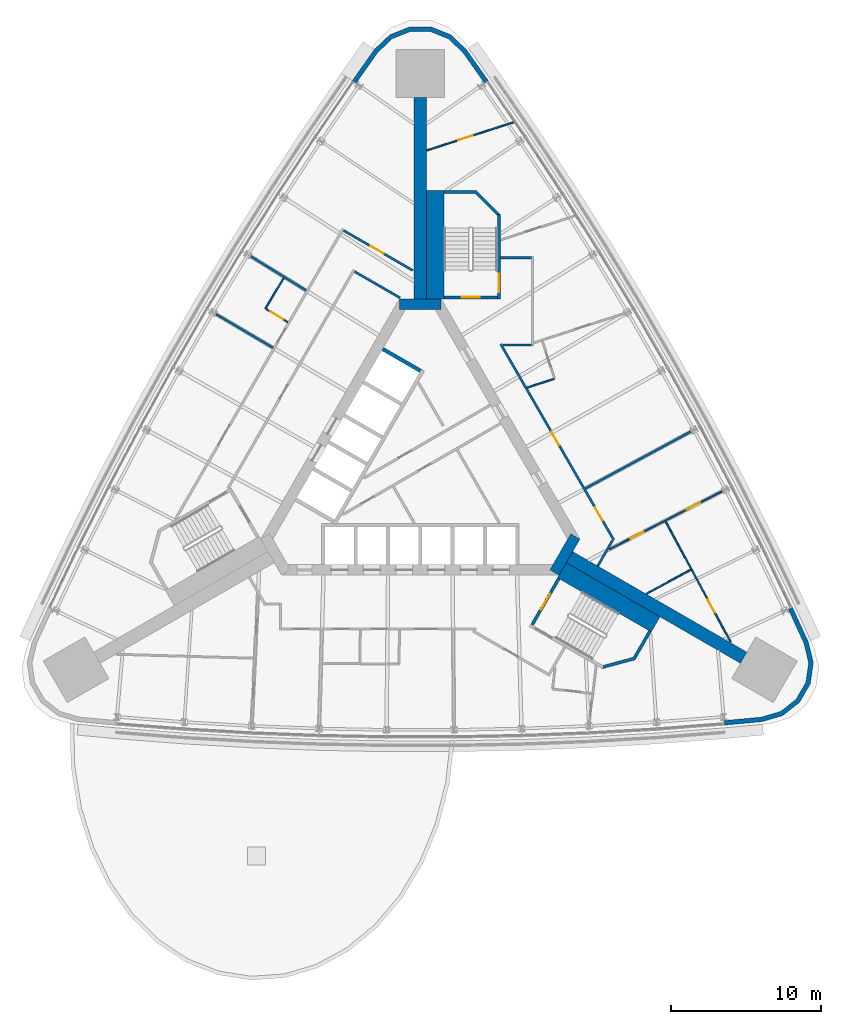
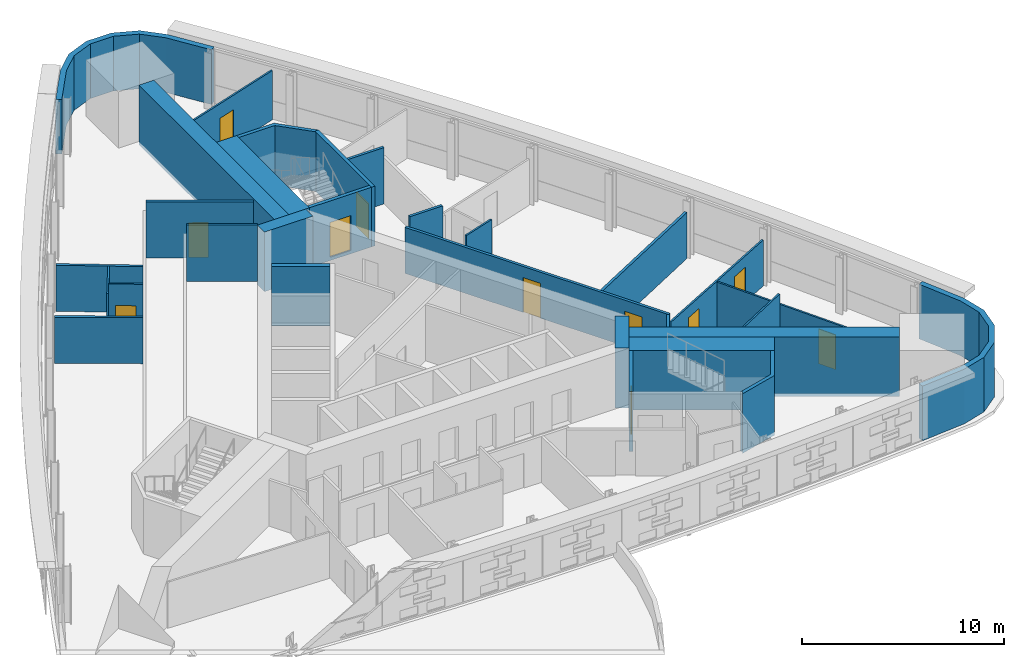
# One storey, part 12 of 15: 30 walls, 11 doors, 11 openings.
"""IFC4 building model written with IfcOpenShell, lengths in metres."""

from ifc_helpers import new_model, si_unit, direction, frame, frame_2d, origin, place, context, subcontext, project, spatial, polyline, rectangle, outline, extrude, material, layer, layer_set, type_object, element, fill, save


model = new_model("IFC4")

# Units and contexts
model_context = context("Model", 3, precision=1e-05, world=origin(), true_north=direction((0.0, 1.0)))
body_context = subcontext(model_context, "Body", "Model", "MODEL_VIEW")
ifc_project = project(units=[si_unit("LENGTHUNIT", "METRE"), si_unit("AREAUNIT", "SQUARE_METRE"), si_unit("VOLUMEUNIT", "CUBIC_METRE"), si_unit("PLANEANGLEUNIT", "RADIAN"), si_unit("MASSUNIT", "GRAM", prefix="KILO")], contexts=[model_context])

# Site, building, storey
site_placement = place(None, origin())
site = spatial("IfcSite", under=ifc_project, at=site_placement, CompositionType="ELEMENT")
building_placement = place(site_placement, origin())
building = spatial("IfcBuilding", under=site, at=building_placement, Name="Noor Cloister Tower", CompositionType="ELEMENT")
storey_placement = place(building_placement, frame((0.0, 0.0, 69.0)))
storey = spatial("IfcBuildingStorey", under=building, at=storey_placement, Name="L17", CompositionType="ELEMENT", Elevation=69.0)

# Walls
ifc_material_1 = material(Name="Concrete C80/95", Category="concrete")
ifc_layer_1 = layer(ifc_material_1, 0.85009765625)
ifc_layer_set_1 = layer_set([ifc_layer_1], Name="Buttress wall 850 C80/95")
wall_type_1 = type_object("IfcWallType", Name="Buttress wall 850 C80/95", PredefinedType="SHEAR", material=ifc_layer_set_1)
wall_1_placement = place(storey_placement, frame((0.0, 11.456298828125, -0.199951171875), z_axis=(0.0, 0.0, 1.0), x_axis=(0.0, 1.0, 0.0)))
element("IfcWall", 1, at=wall_1_placement, inside=storey, type_object=wall_type_1, Name="Buttress wall N L17", PredefinedType="SHEAR", context=body_context, shape_type="SweptSolid", body=[
    extrude(rectangle(XDim=13.381591796875, YDim=0.85009765625, at=frame_2d((6.69091796875, 0.0))), origin(), (0.0, 0.0, 1.0), 3.599853515625),
])
wall_2_placement = place(storey_placement, frame((9.921630859375, -5.728271484375, -0.199951171875), z_axis=(0.0, 0.0, 1.0), x_axis=(0.866026077102, -0.499998833779, 0.0)))
element("IfcWall", 2, at=wall_2_placement, inside=storey, type_object=wall_type_1, Name="Buttress wall SE L17", PredefinedType="SHEAR", context=body_context, shape_type="SweptSolid", body=[
    extrude(rectangle(XDim=13.38134765625, YDim=0.85009765625, at=frame_2d((6.690673828125, 0.0))), origin(), (0.0, 0.0, 1.0), 3.599853515625),
])
ifc_material_2 = material(Name="Concrete C80/95", Category="concrete")
ifc_layer_2 = layer(ifc_material_2, 0.699951171875)
ifc_layer_set_2 = layer_set([ifc_layer_2], Name="Core wall 700 C80/95")
wall_type_2 = type_object("IfcWallType", Name="Core wall 700 C80/95", PredefinedType="SHEAR", material=ifc_layer_set_2)
wall_3_placement = place(storey_placement, frame((8.925537109375, -6.753173828125, -0.199951171875), z_axis=(0.0, 0.0, 1.0), x_axis=(0.500042739161, 0.866000726912, 0.0)))
element("IfcWall", 3, at=wall_3_placement, inside=storey, type_object=wall_type_2, Name="Core wall L17 2", PredefinedType="SHEAR", context=body_context, shape_type="SweptSolid", body=[
    extrude(rectangle(XDim=2.771240234375, YDim=0.699951171875, at=frame_2d((1.3857421875, 0.0))), origin(), (0.0, 0.0, 1.0), 3.599853515625),
])
wall_4_placement = place(storey_placement, frame((1.3857421875, 11.1064453125, -0.199951171875), z_axis=(0.0, 0.0, 1.0), x_axis=(-1.0, 0.0, 0.0)))
element("IfcWall", 4, at=wall_4_placement, inside=storey, type_object=wall_type_2, Name="Core wall L17 4", PredefinedType="SHEAR", context=body_context, shape_type="SweptSolid", body=[
    extrude(rectangle(XDim=2.771484375, YDim=0.699951171875, at=frame_2d((1.3857421875, 0.0))), origin(), (0.0, 0.0, 1.0), 3.599853515625),
])
ifc_material_3 = material(Name="Fire-rated gypsum board partition on steel studs, 150 mm", Category="steel")
ifc_layer_3 = layer(ifc_material_3, 0.14990234375)
ifc_layer_set_3 = layer_set([ifc_layer_3], Name="Fire lobby wall 150")
wall_type_3 = type_object("IfcWallType", Name="Fire lobby wall 150", PredefinedType="PARTITIONING", material=ifc_layer_set_3)
wall_5_placement = place(storey_placement, frame((-4.379150390625, 13.271484375, 0.0), z_axis=(0.0, 0.0, 1.0), x_axis=(0.866019471182, -0.500010275428, 0.0)))
element("IfcWall", 5, at=wall_5_placement, inside=storey, type_object=wall_type_3, Name="Fire lobby wall 150 L17 008", PredefinedType="PARTITIONING", context=body_context, shape_type="SweptSolid", body=[
    extrude(rectangle(XDim=3.5, YDim=0.14990234375, at=frame_2d((1.75, 0.0))), origin(), (0.0, 0.0, 1.0), 3.39990234375),
])

# Wall, openings, doors
ifc_material_4 = material(Name="Gypsum board partition on steel studs, 150 mm", Category="steel")
ifc_layer_4 = layer(ifc_material_4, 0.14990234375)
ifc_layer_set_4 = layer_set([ifc_layer_4], Name="Flat wall 150")
wall_type_4 = type_object("IfcWallType", Name="Flat wall 150", PredefinedType="PARTITIONING", material=ifc_layer_set_4)
wall_6_placement = place(storey_placement, frame((5.34619140625, 8.4462890625, 0.0), z_axis=(0.0, 0.0, 1.0), x_axis=(0.500008781656, -0.866020333634, 0.0)))
wall_6 = element("IfcWall", 6, at=wall_6_placement, inside=storey, type_object=wall_type_4, Name="Flat wall 150 L17 003", PredefinedType="PARTITIONING", context=body_context, shape_type="SweptSolid", body=[
    extrude(rectangle(XDim=15.056884765625, YDim=0.14990234375, at=frame_2d((7.5283203125, 0.0))), origin(), (0.0, 0.0, 1.0), 2.778076171875),
])
opening_1_placement = place(wall_6_placement, frame((12.55029296875, 0.0, 0.0)))
opening_1 = element("IfcOpeningElement", 7, at=opening_1_placement, cuts=wall_6, Name="Opening L17-004", PredefinedType="OPENING", context=body_context, shape_type="SweptSolid", body=[
    extrude(rectangle(XDim=1.0, YDim=2.10009765625, at=frame_2d((0.5, 1.050048828125))), frame((0.0, 0.0849609375, 0.0), z_axis=(0.0, -1.0, 0.0), x_axis=(1.0, 0.0, 0.0)), (0.0, 0.0, 1.0), 0.169921875),
])
opening_2_placement = place(wall_6_placement, frame((6.752685546875, 0.0, 0.0)))
opening_2 = element("IfcOpeningElement", 8, at=opening_2_placement, cuts=wall_6, Name="Opening L17-005", PredefinedType="OPENING", context=body_context, shape_type="SweptSolid", body=[
    extrude(rectangle(XDim=1.0, YDim=2.10009765625, at=frame_2d((0.5, 1.050048828125))), frame((0.0, 0.0849609375, 0.0), z_axis=(0.0, -1.0, 0.0), x_axis=(1.0, 0.0, 0.0)), (0.0, 0.0, 1.0), 0.169921875),
])
ifc_material_5 = material(Name="Timber door leaf with steel frame", Category="steel")
door_type_1 = type_object("IfcDoorType", Name="Flat entrance door 1000 FD60S", OperationType="NOTDEFINED", PredefinedType="DOOR", material=ifc_material_5)
door_1_placement = place(opening_1_placement, origin())
door_1 = element("IfcDoor", 9, at=door_1_placement, inside=storey, type_object=door_type_1, Name="Flat entrance door 1000 L17-004", OperationType="SINGLE_SWING_RIGHT", OverallHeight=2.10009765625, OverallWidth=1.0, PredefinedType="DOOR", context=body_context, shape_type="SweptSolid", body=[
    extrude(rectangle(XDim=1.0, YDim=2.10009765625, at=frame_2d((0.5, 1.050048828125))), frame((0.0, 0.02490234375, 0.0), z_axis=(0.0, -1.0, 0.0), x_axis=(1.0, 0.0, 0.0)), (0.0, 0.0, 1.0), 0.050048828125),
])
fill(opening_1, door_1)
door_2_placement = place(opening_2_placement, origin())
door_2 = element("IfcDoor", 10, at=door_2_placement, inside=storey, type_object=door_type_1, Name="Flat entrance door 1000 L17-005", OperationType="SINGLE_SWING_LEFT", OverallHeight=2.10009765625, OverallWidth=1.0, PredefinedType="DOOR", context=body_context, shape_type="SweptSolid", body=[
    extrude(rectangle(XDim=1.0, YDim=2.10009765625, at=frame_2d((0.5, 1.050048828125))), frame((0.0, 0.02490234375, 0.0), z_axis=(0.0, -1.0, 0.0), x_axis=(1.0, 0.0, 0.0)), (0.0, 0.0, 1.0), 0.050048828125),
])
fill(opening_2, door_2)

# Wall, opening, door
wall_7_placement = place(storey_placement, frame((-5.111328125, 16.00341796875, 0.0), z_axis=(0.0, 0.0, 1.0), x_axis=(0.866034245675, -0.499984685083, 0.0)))
wall_7 = element("IfcWall", 11, at=wall_7_placement, inside=storey, type_object=wall_type_4, Name="Flat wall 150 L17 007", PredefinedType="PARTITIONING", context=body_context, shape_type="SweptSolid", body=[
    extrude(rectangle(XDim=5.319091796875, YDim=0.14990234375, at=frame_2d((2.65966796875, 0.0))), origin(), (0.0, 0.0, 1.0), 3.39990234375),
])
opening_3_placement = place(wall_7_placement, frame((2.08447265625, 0.0, 0.0)))
opening_3 = element("IfcOpeningElement", 12, at=opening_3_placement, cuts=wall_7, Name="Opening L17-011", PredefinedType="OPENING", context=body_context, shape_type="SweptSolid", body=[
    extrude(rectangle(XDim=1.0, YDim=2.10009765625, at=frame_2d((0.5, 1.050048828125))), frame((0.0, 0.0849609375, 0.0), z_axis=(0.0, -1.0, 0.0), x_axis=(1.0, 0.0, 0.0)), (0.0, 0.0, 1.0), 0.169921875),
])
ifc_material_6 = material(Name="Timber door leaf with steel frame", Category="steel")
door_type_2 = type_object("IfcDoorType", Name="Interior door 1000 FD60", OperationType="NOTDEFINED", PredefinedType="DOOR", material=ifc_material_6)
door_3_placement = place(opening_3_placement, origin())
door_3 = element("IfcDoor", 13, at=door_3_placement, inside=storey, type_object=door_type_2, Name="Interior door 1000 L17-011", OperationType="SINGLE_SWING_LEFT", OverallHeight=2.10009765625, OverallWidth=1.0, PredefinedType="DOOR", context=body_context, shape_type="SweptSolid", body=[
    extrude(rectangle(XDim=1.0, YDim=2.10009765625, at=frame_2d((0.5, 1.050048828125))), frame((0.0, 0.02490234375, 0.0), z_axis=(0.0, -1.0, 0.0), x_axis=(1.0, 0.0, 0.0)), (0.0, 0.0, 1.0), 0.050048828125),
])
fill(opening_3, door_3)

# Walls
wall_8_placement = place(storey_placement, frame((5.335693359375, 14.181396484375, 0.0), z_axis=(0.0, 0.0, 1.0), x_axis=(1.0, 0.0, 0.0)))
element("IfcWall", 14, at=wall_8_placement, inside=storey, type_object=wall_type_4, Name="Flat wall 150 L17 009", PredefinedType="PARTITIONING", context=body_context, shape_type="SweptSolid", body=[
    extrude(rectangle(XDim=2.0498046875, YDim=0.14990234375, at=frame_2d((1.02490234375, 0.0))), origin(), (0.0, 0.0, 1.0), 3.39990234375),
])
wall_9_placement = place(storey_placement, frame((11.801025390625, -6.322509765625, 0.0), z_axis=(0.0, 0.0, 1.0), x_axis=(0.500058665202, 0.865991530765, 0.0)))
element("IfcWall", 15, at=wall_9_placement, inside=storey, type_object=wall_type_4, Name="Flat wall 150 L17 011", PredefinedType="PARTITIONING", context=body_context, shape_type="SweptSolid", body=[
    extrude(rectangle(XDim=1.969482421875, YDim=0.14990234375, at=frame_2d((0.98486328125, 0.0))), origin(), (0.0, 0.0, 1.0), 2.778076171875),
])
wall_10_placement = place(storey_placement, frame((5.513671875, 8.38134765625, 0.0), z_axis=(0.0, 0.0, 1.0), x_axis=(1.0, 0.0, 0.0)))
element("IfcWall", 16, at=wall_10_placement, inside=storey, type_object=wall_type_4, Name="Flat wall 150 L17 013", PredefinedType="PARTITIONING", context=body_context, shape_type="SweptSolid", body=[
    extrude(rectangle(XDim=1.871826171875, YDim=0.14990234375, at=frame_2d((0.93603515625, 0.0))), origin(), (0.0, 0.0, 1.0), 3.39990234375),
])
wall_11_placement = place(storey_placement, frame((17.98291015625, 2.6162109375, 0.0), z_axis=(0.0, 0.0, 1.0), x_axis=(-0.880118053528, -0.474754896608, 0.0)))
element("IfcWall", 17, at=wall_11_placement, inside=storey, type_object=wall_type_4, Name="Flat wall 150 L17 016", PredefinedType="PARTITIONING", context=body_context, shape_type="SweptSolid", body=[
    extrude(rectangle(XDim=7.954833984375, YDim=0.14990234375, at=frame_2d((3.9775390625, 0.0))), origin(), (0.0, 0.0, 1.0), 2.778076171875),
])
wall_12_placement = place(storey_placement, frame((-13.573974609375, 10.426025390625, 0.0), z_axis=(0.0, 0.0, 1.0), x_axis=(0.861161165873, -0.508332023772, 0.0)))
element("IfcWall", 18, at=wall_12_placement, inside=storey, type_object=wall_type_4, Name="Flat wall 150 L17 019", PredefinedType="PARTITIONING", context=body_context, shape_type="SweptSolid", body=[
    extrude(rectangle(XDim=4.3896484375, YDim=0.14990234375, at=frame_2d((2.19482421875, 0.0))), origin(), (0.0, 0.0, 1.0), 2.778076171875),
])
wall_13_placement = place(storey_placement, frame((-11.257080078125, 14.265625, 0.0), z_axis=(0.0, 0.0, 1.0), x_axis=(0.851192414307, -0.524853764231, 0.0)))
element("IfcWall", 19, at=wall_13_placement, inside=storey, type_object=wall_type_4, Name="Flat wall 150 L17 020", PredefinedType="PARTITIONING", context=body_context, shape_type="SweptSolid", body=[
    extrude(rectangle(XDim=4.30322265625, YDim=0.14990234375, at=frame_2d((2.151611328125, 0.0))), origin(), (0.0, 0.0, 1.0), 2.778076171875),
])
ifc_material_7 = material(Name="Limestone", Category="masonry")
ifc_layer_5 = layer(ifc_material_7, 0.300048828125)
ifc_layer_set_5 = layer_set([ifc_layer_5], Name="Limestone cladding 300")
wall_type_5 = type_object("IfcWallType", Name="Limestone cladding 300", PredefinedType="NOTDEFINED", material=ifc_layer_set_5)
wall_14_placement = place(storey_placement, origin())
element("IfcWall", 20, at=wall_14_placement, inside=storey, type_object=wall_type_5, Name="Limestone pier cladding L17 2.1", PredefinedType="NOTDEFINED", context=body_context, shape_type="SweptSolid", body=[
    extrude(outline(polyline([(20.224609375, -16.900634765625), (22.750244140625, -16.6669921875), (24.112060546875, -16.26416015625), (25.227783203125, -15.38525390625), (25.937744140625, -14.1552734375), (26.141357421875, -12.74951171875), (25.809326171875, -11.36865234375), (24.748779296875, -9.064697265625), (24.476318359375, -9.18994140625), (25.5244140625, -11.467529296875), (25.836181640625, -12.763671875), (25.649169921875, -14.05517578125), (24.99658203125, -15.185302734375), (23.9716796875, -15.992919921875), (22.693359375, -16.37109375), (20.197021484375, -16.60205078125), (20.224609375, -16.900634765625)])), origin(), (0.0, 0.0, 1.0), 3.300048828125),
])
wall_15_placement = place(storey_placement, origin())
element("IfcWall", 21, at=wall_15_placement, inside=storey, type_object=wall_type_5, Name="Limestone pier cladding L17 3.1", PredefinedType="NOTDEFINED", context=body_context, shape_type="SweptSolid", body=[
    extrude(outline(polyline([(4.524169921875, 25.96533203125), (3.05908203125, 28.035888671875), (2.029052734375, 29.013916015625), (0.710205078125, 29.540283203125), (-0.710205078125, 29.540283203125), (-2.029052734375, 29.013916015625), (-3.05908203125, 28.035888671875), (-4.524169921875, 25.96533203125), (-4.279296875, 25.7919921875), (-2.8310546875, 27.838623046875), (-1.864501953125, 28.756591796875), (-0.65234375, 29.240478515625), (0.65234375, 29.240478515625), (1.864501953125, 28.756591796875), (2.8310546875, 27.838623046875), (4.279296875, 25.7919921875), (4.524169921875, 25.96533203125)])), origin(), (0.0, 0.0, 1.0), 3.300048828125),
])

# Wall, opening, door
ifc_material_8 = material(Name="Gypsum board partition on steel studs, 100 mm", Category="steel")
ifc_layer_6 = layer(ifc_material_8, 0.10009765625)
ifc_layer_set_6 = layer_set([ifc_layer_6], Name="Partition 100")
wall_type_6 = type_object("IfcWallType", Name="Partition 100", PredefinedType="PARTITIONING", material=ifc_layer_set_6)
wall_16_placement = place(storey_placement, frame((20.64599609375, -11.380126953125, 0.0), z_axis=(0.0, 0.0, 1.0), x_axis=(-0.474727306664, 0.880132935588, 0.0)))
wall_16 = element("IfcWall", 22, at=wall_16_placement, inside=storey, type_object=wall_type_6, Name="Partition 100 L17 021", PredefinedType="PARTITIONING", context=body_context, shape_type="SweptSolid", body=[
    extrude(rectangle(XDim=9.093505859375, YDim=0.10009765625, at=frame_2d((4.546875, 0.0))), origin(), (0.0, 0.0, 1.0), 2.778076171875),
])
opening_4_placement = place(wall_16_placement, frame((2.2216796875, 0.0, 0.0)))
opening_4 = element("IfcOpeningElement", 23, at=opening_4_placement, cuts=wall_16, Name="Opening L17-012", PredefinedType="OPENING", context=body_context, shape_type="SweptSolid", body=[
    extrude(rectangle(XDim=1.0, YDim=2.10009765625, at=frame_2d((0.5, 1.050048828125))), frame((0.0, 0.06005859375, 0.0), z_axis=(0.0, -1.0, 0.0), x_axis=(1.0, 0.0, 0.0)), (0.0, 0.0, 1.0), 0.1201171875),
])
ifc_material_9 = material(Name="Timber door leaf with steel frame", Category="steel")
door_type_3 = type_object("IfcDoorType", Name="Interior door 1000", OperationType="NOTDEFINED", PredefinedType="DOOR", material=ifc_material_9)
door_4_placement = place(opening_4_placement, origin())
door_4 = element("IfcDoor", 24, at=door_4_placement, inside=storey, type_object=door_type_3, Name="Interior door 1000 L17-012", OperationType="SINGLE_SWING_LEFT", OverallHeight=2.10009765625, OverallWidth=1.0, PredefinedType="DOOR", context=body_context, shape_type="SweptSolid", body=[
    extrude(rectangle(XDim=1.0, YDim=2.10009765625, at=frame_2d((0.5, 1.050048828125))), frame((0.0, 0.02490234375, 0.0), z_axis=(0.0, -1.0, 0.0), x_axis=(1.0, 0.0, 0.0)), (0.0, 0.0, 1.0), 0.050048828125),
])
fill(opening_4, door_4)

# Wall, openings, doors
wall_17_placement = place(storey_placement, frame((20.07373046875, -1.351318359375, 0.0), z_axis=(0.0, 0.0, 1.0), x_axis=(-0.88912315758, -0.457668013582, 0.0)))
wall_17 = element("IfcWall", 25, at=wall_17_placement, inside=storey, type_object=wall_type_6, Name="Partition 100 L17 023", PredefinedType="PARTITIONING", context=body_context, shape_type="SweptSolid", body=[
    extrude(rectangle(XDim=8.428955078125, YDim=0.10009765625, at=frame_2d((4.21435546875, 0.0))), origin(), (0.0, 0.0, 1.0), 2.778076171875),
])
opening_5_placement = place(wall_17_placement, frame((5.8681640625, 0.0, 0.0)))
opening_5 = element("IfcOpeningElement", 26, at=opening_5_placement, cuts=wall_17, Name="Opening L17-013", PredefinedType="OPENING", context=body_context, shape_type="SweptSolid", body=[
    extrude(rectangle(XDim=1.0, YDim=2.10009765625, at=frame_2d((0.5, 1.050048828125))), frame((0.0, 0.06005859375, 0.0), z_axis=(0.0, -1.0, 0.0), x_axis=(1.0, 0.0, 0.0)), (0.0, 0.0, 1.0), 0.1201171875),
])
opening_6_placement = place(wall_17_placement, frame((1.635009765625, 0.0, 0.0)))
opening_6 = element("IfcOpeningElement", 27, at=opening_6_placement, cuts=wall_17, Name="Opening L17-014", PredefinedType="OPENING", context=body_context, shape_type="SweptSolid", body=[
    extrude(rectangle(XDim=1.0, YDim=2.10009765625, at=frame_2d((0.5, 1.050048828125))), frame((0.0, 0.06005859375, 0.0), z_axis=(0.0, -1.0, 0.0), x_axis=(1.0, 0.0, 0.0)), (0.0, 0.0, 1.0), 0.1201171875),
])
door_5_placement = place(opening_5_placement, origin())
door_5 = element("IfcDoor", 28, at=door_5_placement, inside=storey, type_object=door_type_3, Name="Interior door 1000 L17-013", OperationType="SINGLE_SWING_RIGHT", OverallHeight=2.10009765625, OverallWidth=1.0, PredefinedType="DOOR", context=body_context, shape_type="SweptSolid", body=[
    extrude(rectangle(XDim=1.0, YDim=2.10009765625, at=frame_2d((0.5, 1.050048828125))), frame((0.0, 0.02490234375, 0.0), z_axis=(0.0, -1.0, 0.0), x_axis=(1.0, 0.0, 0.0)), (0.0, 0.0, 1.0), 0.050048828125),
])
fill(opening_5, door_5)
door_6_placement = place(opening_6_placement, origin())
door_6 = element("IfcDoor", 29, at=door_6_placement, inside=storey, type_object=door_type_3, Name="Interior door 1000 L17-014", OperationType="SINGLE_SWING_LEFT", OverallHeight=2.10009765625, OverallWidth=1.0, PredefinedType="DOOR", context=body_context, shape_type="SweptSolid", body=[
    extrude(rectangle(XDim=1.0, YDim=2.10009765625, at=frame_2d((0.5, 1.050048828125))), frame((0.0, 0.02490234375, 0.0), z_axis=(0.0, -1.0, 0.0), x_axis=(1.0, 0.0, 0.0)), (0.0, 0.0, 1.0), 0.050048828125),
])
fill(opening_6, door_6)

# Wall, opening, door
wall_18_placement = place(storey_placement, frame((0.4404296875, 21.329345703125, 0.0), z_axis=(0.0, 0.0, 1.0), x_axis=(0.951171830883, 0.308661866992, 0.0)))
wall_18 = element("IfcWall", 30, at=wall_18_placement, inside=storey, type_object=wall_type_6, Name="Partition 100 L17 026", PredefinedType="PARTITIONING", context=body_context, shape_type="SweptSolid", body=[
    extrude(rectangle(XDim=6.077880859375, YDim=0.10009765625, at=frame_2d((3.0390625, 0.0))), origin(), (0.0, 0.0, 1.0), 2.97412109375),
])
opening_7_placement = place(wall_18_placement, frame((2.197265625, 0.0, 0.0)))
opening_7 = element("IfcOpeningElement", 31, at=opening_7_placement, cuts=wall_18, Name="Opening L17-018", PredefinedType="OPENING", context=body_context, shape_type="SweptSolid", body=[
    extrude(rectangle(XDim=1.0, YDim=2.10009765625, at=frame_2d((0.5, 1.050048828125))), frame((0.0, 0.06005859375, 0.0), z_axis=(0.0, -1.0, 0.0), x_axis=(1.0, 0.0, 0.0)), (0.0, 0.0, 1.0), 0.1201171875),
])
door_7_placement = place(opening_7_placement, origin())
door_7 = element("IfcDoor", 32, at=door_7_placement, inside=storey, type_object=door_type_3, Name="Interior door 1000 L17-018", OperationType="SINGLE_SWING_LEFT", OverallHeight=2.10009765625, OverallWidth=1.0, PredefinedType="DOOR", context=body_context, shape_type="SweptSolid", body=[
    extrude(rectangle(XDim=1.0, YDim=2.10009765625, at=frame_2d((0.5, 1.050048828125))), frame((0.0, 0.02490234375, 0.0), z_axis=(0.0, -1.0, 0.0), x_axis=(1.0, 0.0, 0.0)), (0.0, 0.0, 1.0), 0.050048828125),
])
fill(opening_7, door_7)

# Walls
wall_19_placement = place(storey_placement, frame((17.993896484375, -6.56884765625, 0.0), z_axis=(0.0, 0.0, 1.0), x_axis=(-0.880148573472, -0.474698313263, 0.0)))
element("IfcWall", 33, at=wall_19_placement, inside=storey, type_object=wall_type_6, Name="Partition 100 L17 030", PredefinedType="PARTITIONING", context=body_context, shape_type="SweptSolid", body=[
    extrude(rectangle(XDim=3.3564453125, YDim=0.10009765625, at=frame_2d((1.67822265625, 0.0))), origin(), (0.0, 0.0, 1.0), 3.39990234375),
])
wall_20_placement = place(storey_placement, frame((-9.0830078125, 12.83642578125, 0.0), z_axis=(0.0, 0.0, 1.0), x_axis=(-0.516596087141, -0.856229223252, 0.0)))
element("IfcWall", 34, at=wall_20_placement, inside=storey, type_object=wall_type_6, Name="Partition 100 L17 033", PredefinedType="PARTITIONING", context=body_context, shape_type="SweptSolid", body=[
    extrude(rectangle(XDim=2.374267578125, YDim=0.10009765625, at=frame_2d((1.18701171875, 0.0))), origin(), (0.0, 0.0, 1.0), 2.778076171875),
])
wall_21_placement = place(storey_placement, frame((7.117431640625, 5.54931640625, 0.0), z_axis=(0.0, 0.0, 1.0), x_axis=(0.951141782181, 0.308754449667, 0.0)))
element("IfcWall", 35, at=wall_21_placement, inside=storey, type_object=wall_type_6, Name="Partition 100 L17 036", PredefinedType="PARTITIONING", context=body_context, shape_type="SweptSolid", body=[
    extrude(rectangle(XDim=1.864501953125, YDim=0.10009765625, at=frame_2d((0.93212890625, 0.0))), origin(), (0.0, 0.0, 1.0), 3.39990234375),
])

# Wall, opening, door
wall_22_placement = place(storey_placement, frame((-10.266845703125, 10.777587890625, 0.0), z_axis=(0.0, 0.0, 1.0), x_axis=(0.856198606516, -0.516646829275, 0.0)))
wall_22 = element("IfcWall", 36, at=wall_22_placement, inside=storey, type_object=wall_type_6, Name="Partition 100 L17 037", PredefinedType="PARTITIONING", context=body_context, shape_type="SweptSolid", body=[
    extrude(rectangle(XDim=1.701171875, YDim=0.10009765625, at=frame_2d((0.8505859375, 0.0))), origin(), (0.0, 0.0, 1.0), 3.39990234375),
])
opening_8_placement = place(wall_22_placement, frame((0.34423828125, 0.0, 0.0)))
opening_8 = element("IfcOpeningElement", 37, at=opening_8_placement, cuts=wall_22, Name="Opening L17-023", PredefinedType="OPENING", context=body_context, shape_type="SweptSolid", body=[
    extrude(rectangle(XDim=1.0, YDim=2.10009765625, at=frame_2d((0.5, 1.050048828125))), frame((0.0, 0.06005859375, 0.0), z_axis=(0.0, -1.0, 0.0), x_axis=(1.0, 0.0, 0.0)), (0.0, 0.0, 1.0), 0.1201171875),
])
door_8_placement = place(opening_8_placement, origin())
door_8 = element("IfcDoor", 38, at=door_8_placement, inside=storey, type_object=door_type_3, Name="Interior door 1000 L17-023", OperationType="SINGLE_SWING_LEFT", OverallHeight=2.10009765625, OverallWidth=1.0, PredefinedType="DOOR", context=body_context, shape_type="SweptSolid", body=[
    extrude(rectangle(XDim=1.0, YDim=2.10009765625, at=frame_2d((0.5, 1.050048828125))), frame((0.0, 0.02490234375, 0.0), z_axis=(0.0, -1.0, 0.0), x_axis=(1.0, 0.0, 0.0)), (0.0, 0.0, 1.0), 0.050048828125),
])
fill(opening_8, door_8)

# Walls
ifc_material_10 = material(Name="Concrete C80/95", Category="concrete")
ifc_layer_7 = layer(ifc_material_10, 0.25)
ifc_layer_set_7 = layer_set([ifc_layer_7], Name="Shaft wall 250 C80/95")
wall_type_7 = type_object("IfcWallType", Name="Shaft wall 250 C80/95", PredefinedType="PARTITIONING", material=ifc_layer_set_7)
wall_23_placement = place(storey_placement, frame((-2.50634765625, 8.115478515625, -0.199951171875), z_axis=(0.0, 0.0, 1.0), x_axis=(0.865996321171, -0.50005036918, 0.0)))
element("IfcWall", 39, at=wall_23_placement, inside=storey, type_object=wall_type_7, Name="Lift shaft wall L17 NW 1", PredefinedType="PARTITIONING", context=body_context, shape_type="SweptSolid", body=[
    extrude(rectangle(XDim=2.900146484375, YDim=0.25, at=frame_2d((1.4501953125, 0.0))), origin(), (0.0, 0.0, 1.0), 3.599853515625),
])
ifc_material_11 = material(Name="Concrete C80/95", Category="concrete")
ifc_layer_8 = layer(ifc_material_11, 1.160888671875)
ifc_layer_set_8 = layer_set([ifc_layer_8], Name="Stair enclosure wall 1161 C80/95")
wall_type_8 = type_object("IfcWallType", Name="Stair enclosure wall 1161 C80/95", PredefinedType="SHEAR", material=ifc_layer_set_8)
wall_24_placement = place(storey_placement, frame((1.00537109375, 11.456298828125, -0.199951171875), z_axis=(0.0, 0.0, 1.0), x_axis=(0.0, 1.0, 0.0)))
element("IfcWall", 40, at=wall_24_placement, inside=storey, type_object=wall_type_8, Name="Stair enclosure wall ST1 L17 riser side", PredefinedType="SHEAR", context=body_context, shape_type="SweptSolid", body=[
    extrude(rectangle(XDim=7.2001953125, YDim=1.16064453125, at=frame_2d((3.60009765625, 0.0))), origin(), (0.0, 0.0, 1.0), 3.599853515625),
])
wall_25_placement = place(storey_placement, frame((9.4189453125, -6.598876953125, -0.199951171875), z_axis=(0.0, 0.0, 1.0), x_axis=(0.866033125095, -0.499986626058, 0.0)))
element("IfcWall", 41, at=wall_25_placement, inside=storey, type_object=wall_type_8, Name="Stair enclosure wall ST3 L17 riser side", PredefinedType="SHEAR", context=body_context, shape_type="SweptSolid", body=[
    extrude(rectangle(XDim=7.199951171875, YDim=1.16064453125, at=frame_2d((3.60009765625, 0.0))), origin(), (0.0, 0.0, 1.0), 3.599853515625),
])

# Wall, opening, door
ifc_material_12 = material(Name="Concrete C80/95", Category="concrete")
ifc_layer_9 = layer(ifc_material_12, 0.199951171875)
ifc_layer_set_9 = layer_set([ifc_layer_9], Name="Stair enclosure wall 200 C80/95")
wall_type_9 = type_object("IfcWallType", Name="Stair enclosure wall 200 C80/95", PredefinedType="SHEAR", material=ifc_layer_set_9)
wall_26_placement = place(storey_placement, frame((5.135498046875, 11.556396484375, -0.199951171875), z_axis=(0.0, 0.0, 1.0), x_axis=(-1.0, 0.0, 0.0)))
wall_26 = element("IfcWall", 42, at=wall_26_placement, inside=storey, type_object=wall_type_9, Name="Stair enclosure wall ST1 L17 near end", PredefinedType="SHEAR", context=body_context, shape_type="SweptSolid", body=[
    extrude(rectangle(XDim=3.5498046875, YDim=0.199951171875, at=frame_2d((1.77490234375, 0.0))), origin(), (0.0, 0.0, 1.0), 3.599853515625),
])
opening_9_placement = place(wall_26_placement, frame((1.175048828125, 0.0, 0.199951171875)))
opening_9 = element("IfcOpeningElement", 43, at=opening_9_placement, cuts=wall_26, Name="Opening L17-ST1L", PredefinedType="OPENING", context=body_context, shape_type="SweptSolid", body=[
    extrude(rectangle(XDim=1.199951171875, YDim=2.10009765625, at=frame_2d((0.60009765625, 1.050048828125))), frame((0.0, 0.10986328125, 0.0), z_axis=(0.0, -1.0, 0.0), x_axis=(1.0, 0.0, 0.0)), (0.0, 0.0, 1.0), 0.219970703125),
])
ifc_material_13 = material(Name="Steel", Category="steel")
door_type_4 = type_object("IfcDoorType", Name="Stair door 1200 x 2100 FD120", OperationType="SINGLE_SWING_LEFT", PredefinedType="DOOR", material=ifc_material_13)
door_9_placement = place(opening_9_placement, origin())
door_9 = element("IfcDoor", 44, at=door_9_placement, inside=storey, type_object=door_type_4, Name="Stair door ST1 L17", OperationType="SINGLE_SWING_RIGHT", OverallHeight=2.10009765625, OverallWidth=1.199951171875, PredefinedType="DOOR", context=body_context, shape_type="SweptSolid", body=[
    extrude(rectangle(XDim=1.199951171875, YDim=2.10009765625, at=frame_2d((0.60009765625, 1.050048828125))), frame((0.0, 0.02490234375, 0.0), z_axis=(0.0, -1.0, 0.0), x_axis=(1.0, 0.0, 0.0)), (0.0, 0.0, 1.0), 0.050048828125),
])
fill(opening_9, door_9)

wall_27_placement = place(storey_placement, frame((5.235595703125, 11.456298828125, -0.199951171875), z_axis=(0.0, 0.0, 1.0), x_axis=(0.0, 1.0, 0.0)))
wall_27 = element("IfcWall", 45, at=wall_27_placement, inside=storey, type_object=wall_type_9, Name="Stair enclosure wall ST1 L17 outer side", PredefinedType="SHEAR", context=body_context, shape_type="SweptSolid", body=[
    extrude(rectangle(XDim=5.60009765625, YDim=0.199951171875, at=frame_2d((2.800048828125, 0.0))), origin(), (0.0, 0.0, 1.0), 3.599853515625),
])
opening_10_placement = place(wall_27_placement, frame((0.449951171875, 0.0, 0.199951171875)))
opening_10 = element("IfcOpeningElement", 46, at=opening_10_placement, cuts=wall_27, Name="Opening L17-ST1C", PredefinedType="OPENING", context=body_context, shape_type="SweptSolid", body=[
    extrude(rectangle(XDim=1.199951171875, YDim=2.10009765625, at=frame_2d((0.60009765625, 1.050048828125))), frame((0.0, 0.10986328125, 0.0), z_axis=(0.0, -1.0, 0.0), x_axis=(1.0, 0.0, 0.0)), (0.0, 0.0, 1.0), 0.219970703125),
])
door_10_placement = place(opening_10_placement, origin())
door_10 = element("IfcDoor", 47, at=door_10_placement, inside=storey, type_object=door_type_4, Name="Stair door ST1 L17", OperationType="SINGLE_SWING_LEFT", OverallHeight=2.10009765625, OverallWidth=1.199951171875, PredefinedType="DOOR", context=body_context, shape_type="SweptSolid", body=[
    extrude(rectangle(XDim=1.199951171875, YDim=2.10009765625, at=frame_2d((0.60009765625, 1.050048828125))), frame((0.0, 0.02490234375, 0.0), z_axis=(0.0, -1.0, 0.0), x_axis=(1.0, 0.0, 0.0)), (0.0, 0.0, 1.0), 0.050048828125),
])
fill(opening_10, door_10)

wall_28_placement = place(storey_placement, frame((7.440185546875, -10.225830078125, -0.199951171875), z_axis=(0.0, 0.0, 1.0), x_axis=(0.500022077904, 0.866012656725, 0.0)))
wall_28 = element("IfcWall", 48, at=wall_28_placement, inside=storey, type_object=wall_type_9, Name="Stair enclosure wall ST3 L17 near end", PredefinedType="SHEAR", context=body_context, shape_type="SweptSolid", body=[
    extrude(rectangle(XDim=3.550048828125, YDim=0.199951171875, at=frame_2d((1.77490234375, 0.0))), origin(), (0.0, 0.0, 1.0), 3.599853515625),
])
opening_11_placement = place(wall_28_placement, frame((1.175048828125, 0.0, 0.199951171875)))
opening_11 = element("IfcOpeningElement", 49, at=opening_11_placement, cuts=wall_28, Name="Opening L17-ST3L", PredefinedType="OPENING", context=body_context, shape_type="SweptSolid", body=[
    extrude(rectangle(XDim=1.199951171875, YDim=2.10009765625, at=frame_2d((0.60009765625, 1.050048828125))), frame((0.0, 0.10986328125, 0.0), z_axis=(0.0, -1.0, 0.0), x_axis=(1.0, 0.0, 0.0)), (0.0, 0.0, 1.0), 0.219970703125),
])
door_11_placement = place(opening_11_placement, origin())
door_11 = element("IfcDoor", 50, at=door_11_placement, inside=storey, type_object=door_type_4, Name="Stair door ST3 L17", OperationType="SINGLE_SWING_RIGHT", OverallHeight=2.10009765625, OverallWidth=1.199951171875, PredefinedType="DOOR", context=body_context, shape_type="SweptSolid", body=[
    extrude(rectangle(XDim=1.199951171875, YDim=2.10009765625, at=frame_2d((0.60009765625, 1.050048828125))), frame((0.0, 0.02490234375, 0.0), z_axis=(0.0, -1.0, 0.0), x_axis=(1.0, 0.0, 0.0)), (0.0, 0.0, 1.0), 0.050048828125),
])
fill(opening_11, door_11)

# Walls
ifc_material_14 = material(Name="Concrete C80/95", Category="concrete")
wall_type_10 = type_object("IfcWallType", Name="Stair far end wall C80/95", PredefinedType="SHEAR", material=ifc_material_14)
wall_29_placement = place(storey_placement, frame((0.0, 0.0, -0.199951171875)))
element("IfcWall", 51, at=wall_29_placement, inside=storey, type_object=wall_type_10, Name="Stair enclosure wall ST1 L17 far end", PredefinedType="SHEAR", context=body_context, shape_type="SweptSolid", body=[
    extrude(outline(polyline([(5.335693359375, 17.056396484375), (3.735595703125, 18.656494140625), (1.585693359375, 18.656494140625), (1.585693359375, 18.456298828125), (3.65283203125, 18.456298828125), (5.135498046875, 16.9736328125), (5.135498046875, 17.056396484375), (5.135498046875, 17.056396484375), (5.135498046875, 17.056396484375), (5.135498046875, 17.056396484375), (5.135498046875, 17.056396484375), (5.135498046875, 17.056396484375), (5.135498046875, 17.056396484375), (5.135498046875, 17.056396484375), (5.135498046875, 17.056396484375), (5.135498046875, 17.056396484375), (5.135498046875, 17.056396484375), (5.135498046875, 17.056396484375), (5.135498046875, 17.056396484375), (5.135498046875, 17.056396484375), (5.135498046875, 17.056396484375), (5.135498046875, 17.056396484375), (5.135498046875, 17.056396484375), (5.335693359375, 17.056396484375)])), origin(), (0.0, 0.0, 1.0), 3.599853515625),
])
wall_30_placement = place(storey_placement, frame((0.0, 0.0, -0.199951171875)))
element("IfcWall", 52, at=wall_30_placement, inside=storey, type_object=wall_type_10, Name="Stair enclosure wall ST3 L17 far end", PredefinedType="SHEAR", context=body_context, shape_type="SweptSolid", body=[
    extrude(outline(polyline([(12.103515625, -13.14892578125), (14.2890625, -12.5634765625), (15.364013671875, -10.701416015625), (15.19091796875, -10.601318359375), (14.1572265625, -12.3916015625), (12.131591796875, -12.934326171875), (12.20361328125, -12.975830078125), (12.20361328125, -12.975830078125), (12.20361328125, -12.975830078125), (12.20361328125, -12.975830078125), (12.20361328125, -12.975830078125), (12.20361328125, -12.975830078125), (12.20361328125, -12.975830078125), (12.20361328125, -12.975830078125), (12.20361328125, -12.975830078125), (12.20361328125, -12.975830078125), (12.20361328125, -12.975830078125), (12.20361328125, -12.975830078125), (12.20361328125, -12.975830078125), (12.20361328125, -12.975830078125), (12.20361328125, -12.975830078125), (12.20361328125, -12.975830078125), (12.20361328125, -12.975830078125), (12.103515625, -13.14892578125)])), origin(), (0.0, 0.0, 1.0), 3.599853515625),
])

save(model, "model.ifc")
